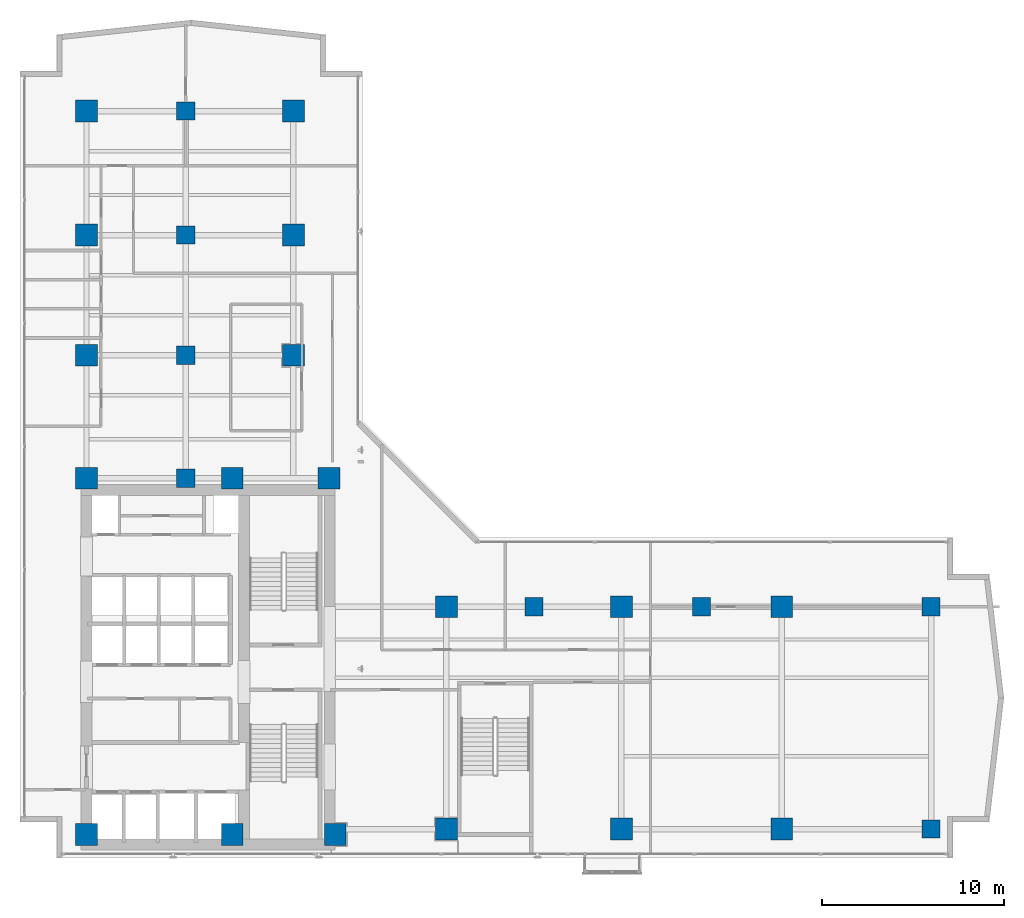
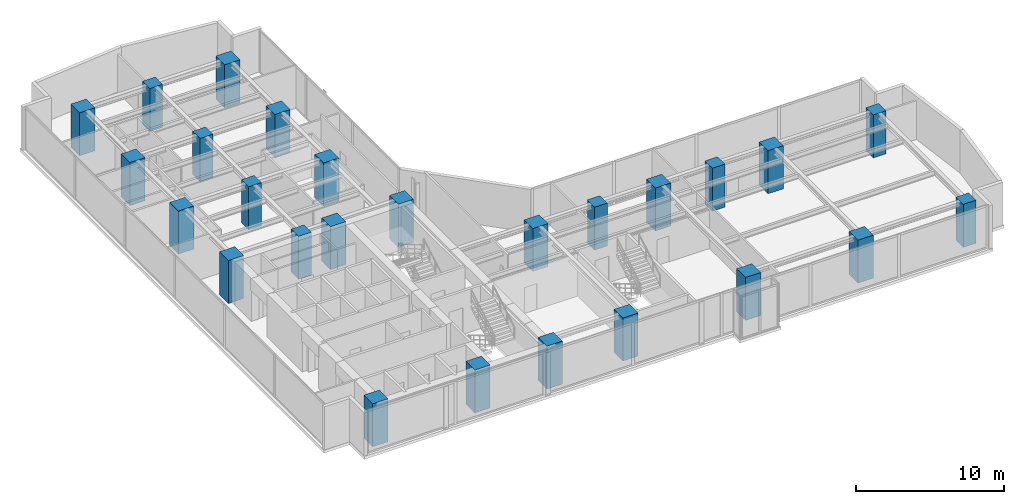
# One storey, part 1 of 27: 26 columns.
"""IFC4 building model written with IfcOpenShell, lengths in metres."""

from ifc_helpers import new_model, si_unit, direction, frame, origin, origin_2d, place, context, subcontext, project, spatial, rectangle, extrude, material, material_profile, profile_set, type_object, element, save


model = new_model("IFC4")

# Units and contexts
model_context = context("Model", 3, precision=1e-05, world=origin(), true_north=direction((0.0, 1.0)))
body_context = subcontext(model_context, "Body", "Model", "MODEL_VIEW")
ifc_project = project(units=[si_unit("LENGTHUNIT", "METRE"), si_unit("AREAUNIT", "SQUARE_METRE"), si_unit("VOLUMEUNIT", "CUBIC_METRE"), si_unit("PLANEANGLEUNIT", "RADIAN"), si_unit("MASSUNIT", "GRAM", prefix="KILO")], contexts=[model_context])

# Site, building, storey
site_placement = place(None, origin())
site = spatial("IfcSite", under=ifc_project, at=site_placement, CompositionType="ELEMENT")
building_placement = place(site_placement, origin())
building = spatial("IfcBuilding", under=site, at=building_placement, Name="Kolvaren Waterfront Exchange", CompositionType="ELEMENT")
storey_placement = place(building_placement, frame((0.0, 0.0, 176.60009765625)))
storey = spatial("IfcBuildingStorey", under=building, at=storey_placement, Name="L45", CompositionType="ELEMENT", Elevation=176.60009765625)

# Columns
ifc_material = material(Name="Concrete C60/75", Category="concrete")
ifc_material_profile_1 = material_profile(ifc_material, rectangle(XDim=1.0, YDim=1.0, at=origin_2d()), Name="RC-COL-1000x1000")
ifc_profile_set_1 = profile_set([ifc_material_profile_1], Name="Concrete C60/75")
column_type_1 = type_object("IfcColumnType", Name="STR-COL-1000-C60", PredefinedType="COLUMN", material=ifc_profile_set_1)
for number, where, z_axis, x_axis, name in (
    (1, (53.800048828125, 5.199951171875, 0.0), (0.0, 0.0, 1.0), (1.0, 0.0, 0.0), "L45 column ZC01"),
    (2, (53.800048828125, 17.39990234375, 0.0), (0.0, 0.0, 1.0), (1.0, 0.0, 0.0), "L45 column ZC02"),
    (3, (12.89990234375, 24.449951171875, 0.0), (0.0, 0.0, 1.0), (1.0, 0.0, 0.0), "L45 column TC01"),
    (4, (12.89990234375, 31.199951171875, 0.0), (0.0, 0.0, 1.0), (1.0, 0.0, 0.0), "L45 column TC02"),
    (5, (12.89990234375, 37.800048828125, 0.0), (0.0, 0.0, 1.0), (1.0, 0.0, 0.0), "L45 column TC03"),
    (6, (12.89990234375, 44.60009765625, 0.0), (0.0, 0.0, 1.0), (1.0, 0.0, 0.0), "L45 column TC04"),
    (7, (32.0, 17.39990234375, 0.0), (0.0, 0.0, 1.0), (1.0, 0.0, 0.0), "L45 column TC05"),
    (8, (41.199951171875, 17.39990234375, 0.0), (0.0, 0.0, 1.0), (1.0, 0.0, 0.0), "L45 column TC06"),
):
    element("IfcColumn", number, at=place(storey_placement, frame(where, z_axis=z_axis, x_axis=x_axis)), inside=storey, type_object=column_type_1, Name=name, PredefinedType="COLUMN", context=body_context, shape_type="SweptSolid", body=[
        extrude(rectangle(XDim=1.0, YDim=1.0, at=origin_2d()), origin(), (0.0, 0.0, 1.0), 3.559814453125),
    ])
ifc_material_profile_2 = material_profile(ifc_material, rectangle(XDim=1.199951171875, YDim=1.199951171875, at=origin_2d()), Name="RC-COL-1200x1200")
ifc_profile_set_2 = profile_set([ifc_material_profile_2], Name="Concrete C60/75")
column_type_2 = type_object("IfcColumnType", Name="STR-COL-1200-C60", PredefinedType="COLUMN", material=ifc_profile_set_2)
for number, where, z_axis, x_axis, name in (
    (9, (7.449951171875, 4.89990234375, 0.0), (0.0, 0.0, 1.0), (1.0, 0.0, 0.0), "L45 column MC01"),
    (10, (15.449951171875, 4.89990234375, 0.0), (0.0, 0.0, 1.0), (1.0, 0.0, 0.0), "L45 column MC02"),
    (11, (21.10009765625, 4.89990234375, 0.0), (0.0, 0.0, 1.0), (1.0, 0.0, 0.0), "L45 column MC03"),
    (12, (7.449951171875, 24.449951171875, 0.0), (0.0, 0.0, 1.0), (1.0, 0.0, 0.0), "L45 column MC04"),
    (13, (15.449951171875, 24.449951171875, 0.0), (0.0, 0.0, 1.0), (1.0, 0.0, 0.0), "L45 column MC05"),
    (14, (20.75, 24.449951171875, 0.0), (0.0, 0.0, 1.0), (1.0, 0.0, 0.0), "L45 column MC06"),
    (15, (7.449951171875, 31.199951171875, 0.0), (0.0, 0.0, 1.0), (1.0, 0.0, 0.0), "L45 column NC01"),
    (16, (7.449951171875, 37.800048828125, 0.0), (0.0, 0.0, 1.0), (1.0, 0.0, 0.0), "L45 column NC02"),
    (17, (7.449951171875, 44.60009765625, 0.0), (0.0, 0.0, 1.0), (1.0, 0.0, 0.0), "L45 column NC03"),
    (18, (18.800048828125, 31.199951171875, 0.0), (0.0, 0.0, 1.0), (1.0, 0.0, 0.0), "L45 column NC04"),
    (19, (18.800048828125, 37.800048828125, 0.0), (0.0, 0.0, 1.0), (1.0, 0.0, 0.0), "L45 column NC05"),
    (20, (18.800048828125, 44.60009765625, 0.0), (0.0, 0.0, 1.0), (1.0, 0.0, 0.0), "L45 column NC06"),
    (21, (27.199951171875, 5.199951171875, 0.0), (0.0, 0.0, 1.0), (1.0, 0.0, 0.0), "L45 column EC01"),
    (22, (36.800048828125, 5.199951171875, 0.0), (0.0, 0.0, 1.0), (1.0, 0.0, 0.0), "L45 column EC02"),
    (23, (45.60009765625, 5.199951171875, 0.0), (0.0, 0.0, 1.0), (1.0, 0.0, 0.0), "L45 column EC03"),
    (24, (27.199951171875, 17.39990234375, 0.0), (0.0, 0.0, 1.0), (1.0, 0.0, 0.0), "L45 column EC04"),
    (25, (36.800048828125, 17.39990234375, 0.0), (0.0, 0.0, 1.0), (1.0, 0.0, 0.0), "L45 column EC05"),
    (26, (45.60009765625, 17.39990234375, 0.0), (0.0, 0.0, 1.0), (1.0, 0.0, 0.0), "L45 column EC06"),
):
    element("IfcColumn", number, at=place(storey_placement, frame(where, z_axis=z_axis, x_axis=x_axis)), inside=storey, type_object=column_type_2, Name=name, PredefinedType="COLUMN", context=body_context, shape_type="SweptSolid", body=[
        extrude(rectangle(XDim=1.199951171875, YDim=1.199951171875, at=origin_2d()), origin(), (0.0, 0.0, 1.0), 3.559814453125),
    ])

save(model, "model.ifc")
